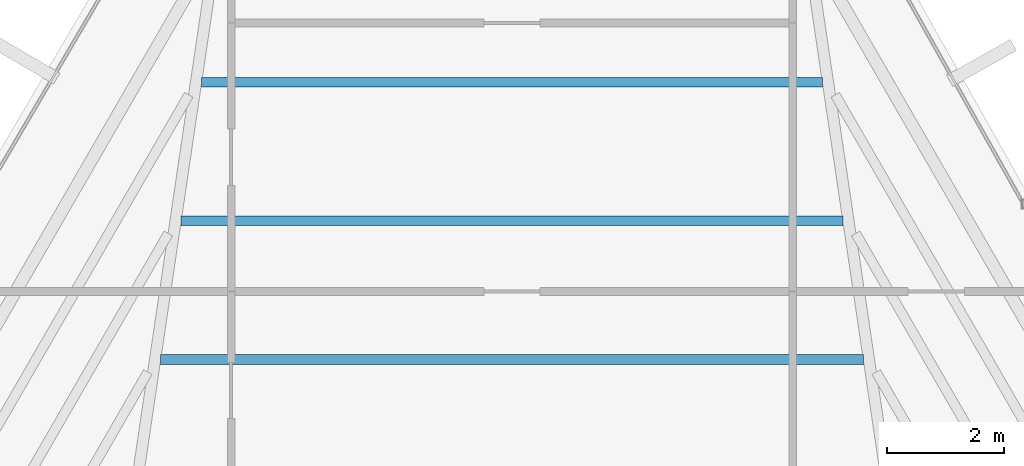
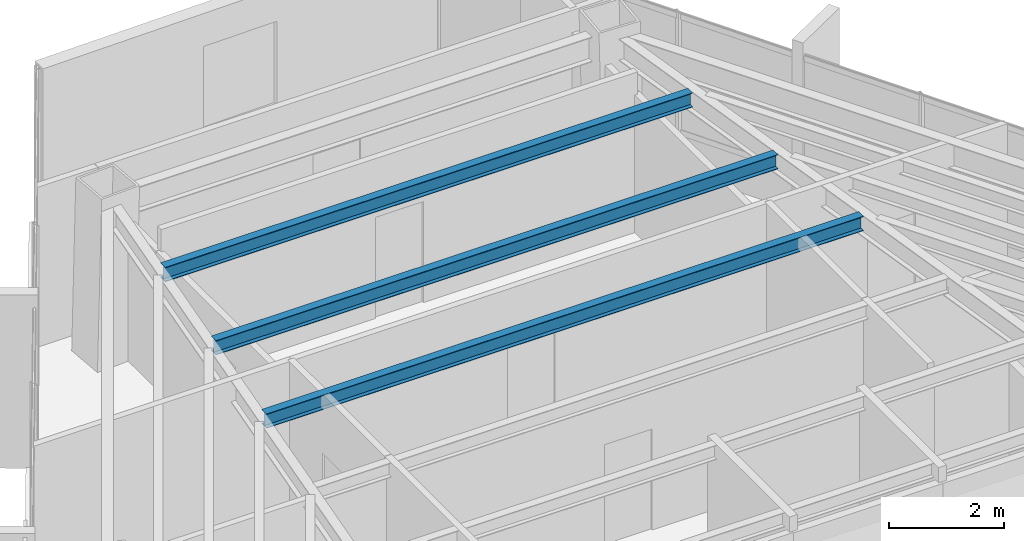
# One storey, part 30 of 42: 3 beams.
"""IFC4 building model written with IfcOpenShell, lengths in metres."""

from ifc_helpers import new_model, si_unit, direction, frame, origin, origin_2d, place, context, subcontext, project, spatial, i_section, extrude, source, transform, mapped, material, material_profile, profile_set, type_object, type_shapes, element, save


model = new_model("IFC4")

# Units and contexts
model_context = context("Model", 3, precision=1e-05, world=origin(), true_north=direction((0.0, 1.0)))
body_context = subcontext(model_context, "Body", "Model", "MODEL_VIEW")
ifc_project = project(units=[si_unit("LENGTHUNIT", "METRE"), si_unit("AREAUNIT", "SQUARE_METRE"), si_unit("VOLUMEUNIT", "CUBIC_METRE"), si_unit("PLANEANGLEUNIT", "RADIAN"), si_unit("MASSUNIT", "GRAM", prefix="KILO")], contexts=[model_context])

# Site, building, storey
site_placement = place(None, origin())
site = spatial("IfcSite", under=ifc_project, at=site_placement, CompositionType="ELEMENT")
building_placement = place(site_placement, origin())
building = spatial("IfcBuilding", under=site, at=building_placement, Name="Caelisora Broadcast Tower", CompositionType="ELEMENT")
storey_placement = place(building_placement, frame((0.0, 0.0, 202.300048828125)))
storey = spatial("IfcBuildingStorey", under=building, at=storey_placement, Name="L53", CompositionType="ELEMENT", Elevation=202.300048828125)

# Beams
ifc_material = material(Name="Steel Grade 350 (AS/NZS 3679.1)", Category="steel")
ifc_material_profile = material_profile(ifc_material, i_section(OverallWidth=0.166015625, OverallDepth=0.30712890625, WebThickness=0.006591796875, FlangeThickness=0.01171875, at=origin_2d()), Name="Steel Grade 350 (AS/NZS 3679.1)")
ifc_profile_set = profile_set([ifc_material_profile], Name="Steel Grade 350 (AS/NZS 3679.1)")
beam_type = type_object("IfcBeamType", Name="SB03", PredefinedType="JOIST", material=ifc_profile_set)
shared_shape_1 = source(origin(), body_context, "Body", "SweptSolid", [
    extrude(i_section(OverallWidth=0.166015625, OverallDepth=0.30712890625, WebThickness=0.006591796875, FlangeThickness=0.01171875, at=origin_2d()), origin(), (0.0, 0.0, 1.0), 12.01416015625),
])
beam_1_placement = place(storey_placement, frame((44.007080078125, 39.477783203125, 3.246337890625), z_axis=(-1.0, 0.0, 0.0), x_axis=(0.0, -1.0, 0.0)))
element("IfcBeam", 1, at=beam_1_placement, inside=storey, type_object=beam_type, Name="L53 beam SB03", PredefinedType="JOIST", context=body_context, shape_type="MappedRepresentation", body=[
    mapped(shared_shape_1, transform((0.0, 0.0, 0.0), scale=1.0)),
])
shared_shape_2 = source(origin(), body_context, "Body", "SweptSolid", [
    extrude(i_section(OverallWidth=0.166015625, OverallDepth=0.30712890625, WebThickness=0.006591796875, FlangeThickness=0.01171875, at=origin_2d()), origin(), (0.0, 0.0, 1.0), 11.314453125),
])
beam_2_placement = place(storey_placement, frame((43.6572265625, 41.84716796875, 3.246337890625), z_axis=(-1.0, 0.0, 0.0), x_axis=(0.0, -1.0, 0.0)))
element("IfcBeam", 2, at=beam_2_placement, inside=storey, type_object=beam_type, Name="L53 beam SB03", PredefinedType="JOIST", context=body_context, shape_type="MappedRepresentation", body=[
    mapped(shared_shape_2, transform((0.0, 0.0, 0.0), scale=1.0)),
])
shared_shape_3 = source(origin(), body_context, "Body", "SweptSolid", [
    extrude(i_section(OverallWidth=0.166015625, OverallDepth=0.30712890625, WebThickness=0.006591796875, FlangeThickness=0.01171875, at=origin_2d()), origin(), (0.0, 0.0, 1.0), 10.61474609375),
])
type_shapes(beam_type, [shared_shape_1, shared_shape_2, shared_shape_3])
beam_3_placement = place(storey_placement, frame((43.307373046875, 44.216552734375, 3.246337890625), z_axis=(-1.0, 0.0, 0.0), x_axis=(0.0, -1.0, 0.0)))
element("IfcBeam", 3, at=beam_3_placement, inside=storey, type_object=beam_type, Name="L53 beam SB03", PredefinedType="JOIST", context=body_context, shape_type="MappedRepresentation", body=[
    mapped(shared_shape_3, transform((0.0, 0.0, 0.0), scale=1.0)),
])

save(model, "model.ifc")
